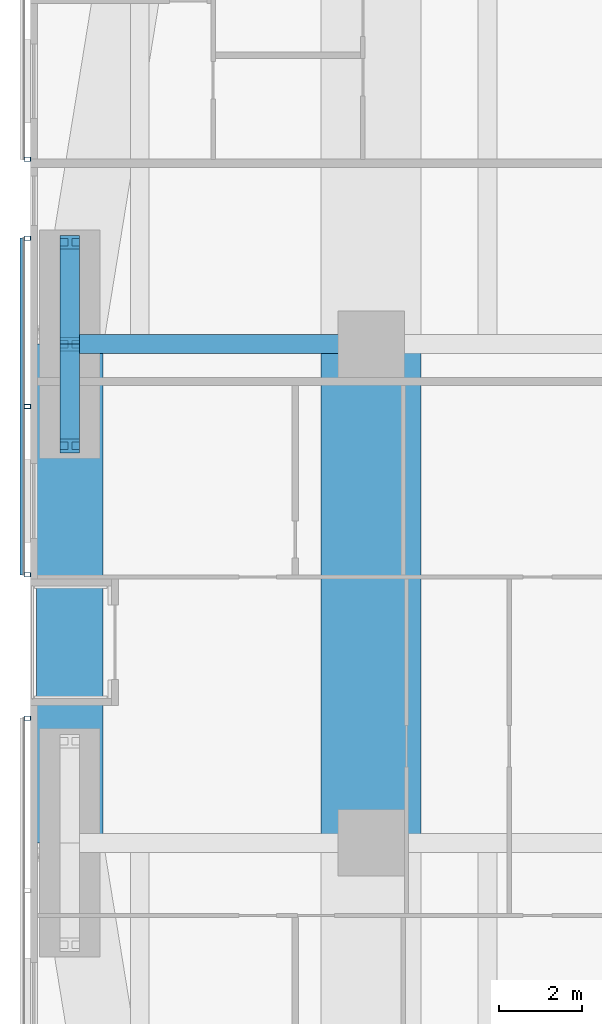
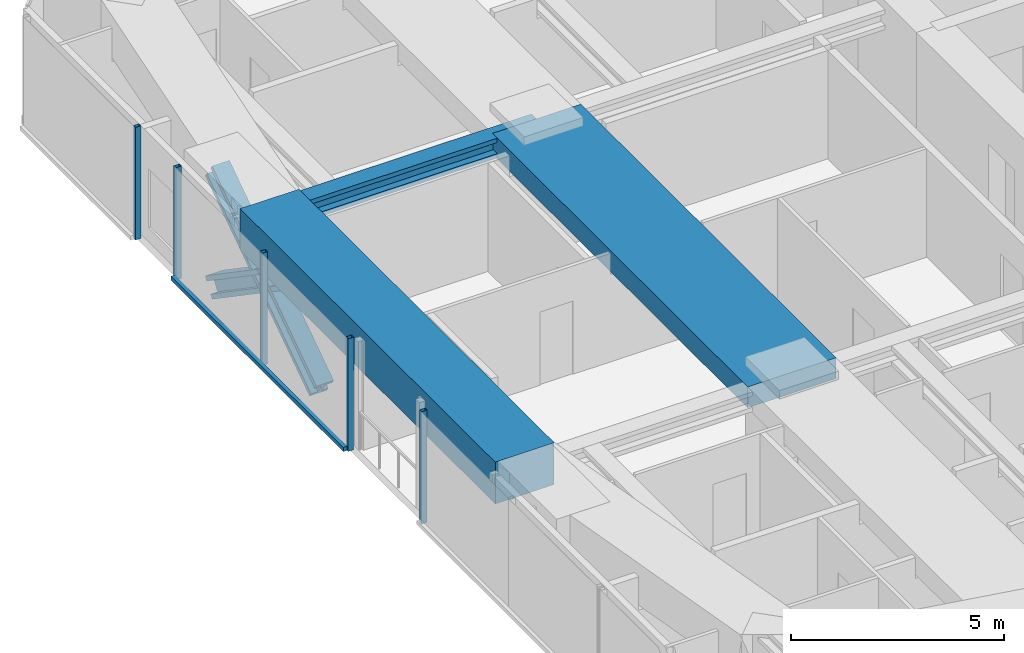
# One storey, part 7 of 24: 10 members, 3 beams, 3 elements without a shape of their own.
"""IFC4 building model written with IfcOpenShell, lengths in metres."""

from ifc_helpers import new_model, si_unit, direction, frame, origin, origin_2d, place, context, subcontext, project, spatial, rectangle, hollow_rectangle, i_section, extrude, material, material_profile, profile_set, type_object, element, aggregate, save


model = new_model("IFC4")

# Units and contexts
model_context = context("Model", 3, precision=1e-05, world=origin(), true_north=direction((0.0, 1.0)))
body_context = subcontext(model_context, "Body", "Model", "MODEL_VIEW")
ifc_project = project(units=[si_unit("LENGTHUNIT", "METRE"), si_unit("AREAUNIT", "SQUARE_METRE"), si_unit("VOLUMEUNIT", "CUBIC_METRE"), si_unit("PLANEANGLEUNIT", "RADIAN"), si_unit("MASSUNIT", "GRAM", prefix="KILO")], contexts=[model_context])

# Site, building, storey
site_placement = place(None, origin())
site = spatial("IfcSite", under=ifc_project, at=site_placement, CompositionType="ELEMENT")
building_placement = place(site_placement, origin())
building = spatial("IfcBuilding", under=site, at=building_placement, Name="Jalousie Tower", CompositionType="ELEMENT")
storey_placement = place(building_placement, frame((0.0, 0.0, 61.199951171875)))
storey = spatial("IfcBuildingStorey", under=building, at=storey_placement, Name="L16", CompositionType="ELEMENT", Elevation=61.199951171875)

# Beam
ifc_material_1 = material(Name="Steel ASTM A992 Grade 50", Category="steel")
ifc_material_profile_1 = material_profile(ifc_material_1, i_section(OverallWidth=0.45458984375, OverallDepth=0.569091796875, WebThickness=0.077880859375, FlangeThickness=0.124755859375, at=origin_2d()), Name="W14X730")
ifc_profile_set_1 = profile_set([ifc_material_profile_1], Name="Steel ASTM A992 Grade 50")
beam_type_1 = type_object("IfcBeamType", Name="LEAN COLLECTOR W14X730", PredefinedType="BEAM", material=ifc_profile_set_1)
beam_1_placement = place(storey_placement, frame((2.949951171875, 25.0, 2.825439453125), z_axis=(1.0, 0.0, 0.0), x_axis=(0.0, 1.0, 0.0)))
element("IfcBeam", 1, at=beam_1_placement, inside=storey, type_object=beam_type_1, Name="Lean collector under L17", PredefinedType="BEAM", context=body_context, shape_type="SweptSolid", body=[
    extrude(i_section(OverallWidth=0.45458984375, OverallDepth=0.569091796875, WebThickness=0.077880859375, FlangeThickness=0.124755859375, at=origin_2d()), origin(), (0.0, 0.0, 1.0), 7.25),
])

# Members
ifc_material_2 = material(Name="Steel ASTM A992 Grade 50", Category="steel")
ifc_material_profile_2 = material_profile(ifc_material_2, i_section(OverallWidth=0.472412109375, OverallDepth=0.5791015625, WebThickness=0.094970703125, FlangeThickness=0.1298828125, at=origin_2d()), Name="W14X808")
ifc_profile_set_2 = profile_set([ifc_material_profile_2], Name="Steel ASTM A992 Grade 50")
member_type_1 = type_object("IfcMemberType", Name="PERIMETER BRACE W14X808", PredefinedType="BRACE", material=ifc_profile_set_2)
for number, where, z_axis, x_axis, name in (
    (2, (2.949951171875, 22.550048828125, -0.599853515625), (0.0, 0.825539243753, 0.564344714713), (-1.0, 0.0, 0.0), "Perimeter brace 13 L16 part 1"),
    (3, (2.949951171875, 25.0, 1.074951171875), (0.0, 0.825500916831, 0.564400776321), (-1.0, 0.0, 0.0), "Perimeter brace 13 L16 part 2"),
    (4, (2.949951171875, 27.449951171875, -0.599853515625), (0.0, -0.825539243753, 0.564344714713), (1.0, 0.0, 0.0), "Perimeter brace 13 L16 part 3"),
    (5, (2.949951171875, 25.0, 1.074951171875), (0.0, -0.825500916831, 0.564400776321), (1.0, 0.0, 0.0), "Perimeter brace 13 L16 part 4"),
):
    element("IfcMember", number, at=place(storey_placement, frame(where, z_axis=z_axis, x_axis=x_axis)), inside=storey, type_object=member_type_1, Name=name, PredefinedType="BRACE", context=body_context, shape_type="SweptSolid", body=[
        extrude(i_section(OverallWidth=0.472412109375, OverallDepth=0.5791015625, WebThickness=0.094970703125, FlangeThickness=0.1298828125, at=origin_2d()), origin(), (0.0, 0.0, 1.0), 2.9677734375),
    ])

# Beams
ifc_material_3 = material(Name="Concrete f'c 40 MPa", Category="concrete")
ifc_material_profile_3 = material_profile(ifc_material_3, rectangle(XDim=1.60009765625, YDim=1.199951171875, at=origin_2d()), Name="RC 1600x1200")
ifc_profile_set_3 = profile_set([ifc_material_profile_3], Name="Concrete f'c 40 MPa")
beam_type_2 = type_object("IfcBeamType", Name="RC BEAM 1600x1200", PredefinedType="BEAM", material=ifc_profile_set_3)
beam_2_placement = place(storey_placement, frame((2.949951171875, 25.0, 2.75), z_axis=(0.0, -1.0, 0.0), x_axis=(1.0, 0.0, 0.0)))
element("IfcBeam", 6, at=beam_2_placement, inside=storey, type_object=beam_type_2, Name="Edge band beam 13-14 under L17", PredefinedType="BEAM", context=body_context, shape_type="SweptSolid", body=[
    extrude(rectangle(XDim=1.60009765625, YDim=1.199951171875, at=origin_2d()), origin(), (0.0, 0.0, 1.0), 12.0),
])
ifc_material_4 = material(Name="Concrete f'c 40 MPa", Category="concrete")
ifc_material_profile_4 = material_profile(ifc_material_4, rectangle(XDim=2.39990234375, YDim=0.60009765625, at=origin_2d()), Name="RC 2400x600")
ifc_profile_set_4 = profile_set([ifc_material_profile_4], Name="Concrete f'c 40 MPa")
beam_type_3 = type_object("IfcBeamType", Name="RC BEAM 2400x600", PredefinedType="BEAM", material=ifc_profile_set_4)
beam_3_placement = place(storey_placement, frame((10.199951171875, 13.0, 2.81005859375), z_axis=(0.0, 1.0, 0.0), x_axis=(-1.0, 0.0, 0.0)))
element("IfcBeam", 7, at=beam_3_placement, inside=storey, type_object=beam_type_3, Name="Floor band beam under L17", PredefinedType="BEAM", context=body_context, shape_type="SweptSolid", body=[
    extrude(rectangle(XDim=2.39990234375, YDim=0.60009765625, at=origin_2d()), origin(), (0.0, 0.0, 1.0), 12.0),
])

# Curtain wall, member
ifc_material_5 = material(Name="Perforated aluminium sheet", Category="aluminium")
curtain_wall_type = type_object("IfcCurtainWallType", Name="SOLAR SCREEN SS-1", PredefinedType="USERDEFINED", material=ifc_material_5)
curtain_wall_1_placement = place(storey_placement, origin())
curtain_wall_1 = element("IfcCurtainWall", 8, at=curtain_wall_1_placement, inside=storey, type_object=curtain_wall_type, Name="Solar screen L16", ObjectType="SOLAR SCREEN SS-1", PredefinedType="USERDEFINED")
ifc_material_6 = material(Name="Steel ASTM A500 Grade C", Category="steel")
ifc_material_profile_5 = material_profile(ifc_material_6, hollow_rectangle(XDim=0.1015625, YDim=0.15234375, WallThickness=0.00634765625, at=origin_2d()), Name="HSS6X4X1/4")
ifc_profile_set_5 = profile_set([ifc_material_profile_5], Name="Steel ASTM A500 Grade C")
member_type_2 = type_object("IfcMemberType", Name="SOLAR SCREEN SS-1 MULLION", PredefinedType="MULLION", material=ifc_profile_set_5)
member_1_placement = place(storey_placement, frame((1.9287109375, 29.449951171875, -0.119873046875), z_axis=(0.0, 0.0, 1.0), x_axis=(0.0, -1.0, 0.0)))
member_1 = element("IfcMember", 9, at=member_1_placement, type_object=member_type_2, Name="SS1 post 2", PredefinedType="MULLION", context=body_context, shape_type="SweptSolid", body=[
    extrude(hollow_rectangle(XDim=0.1015625, YDim=0.15234375, WallThickness=0.00634765625, at=origin_2d()), origin(), (0.0, 0.0, 1.0), 3.22998046875),
])
aggregate(curtain_wall_1, [member_1])

# Curtain wall, members
curtain_wall_2_placement = place(storey_placement, origin())
curtain_wall_2 = element("IfcCurtainWall", 10, at=curtain_wall_2_placement, inside=storey, type_object=curtain_wall_type, Name="Solar screen L16", ObjectType="SOLAR SCREEN SS-1", PredefinedType="USERDEFINED")
member_2_placement = place(storey_placement, frame((1.9287109375, 27.550048828125, -0.119873046875), z_axis=(0.0, 0.0, 1.0), x_axis=(0.0, -1.0, 0.0)))
member_2 = element("IfcMember", 11, at=member_2_placement, type_object=member_type_2, Name="SS1 post 1", PredefinedType="MULLION", context=body_context, shape_type="SweptSolid", body=[
    extrude(hollow_rectangle(XDim=0.1015625, YDim=0.15234375, WallThickness=0.00634765625, at=origin_2d()), origin(), (0.0, 0.0, 1.0), 3.22998046875),
])
member_3_placement = place(storey_placement, frame((1.9287109375, 23.5, -0.119873046875), z_axis=(0.0, 0.0, 1.0), x_axis=(0.0, -1.0, 0.0)))
member_3 = element("IfcMember", 12, at=member_3_placement, type_object=member_type_2, Name="SS1 post 2", PredefinedType="MULLION", context=body_context, shape_type="SweptSolid", body=[
    extrude(hollow_rectangle(XDim=0.1015625, YDim=0.15234375, WallThickness=0.00634765625, at=origin_2d()), origin(), (0.0, 0.0, 1.0), 3.22998046875),
])
member_4_placement = place(storey_placement, frame((1.9287109375, 19.449951171875, -0.119873046875), z_axis=(0.0, 0.0, 1.0), x_axis=(0.0, -1.0, 0.0)))
member_4 = element("IfcMember", 13, at=member_4_placement, type_object=member_type_2, Name="SS1 post 3", PredefinedType="MULLION", context=body_context, shape_type="SweptSolid", body=[
    extrude(hollow_rectangle(XDim=0.1015625, YDim=0.15234375, WallThickness=0.00634765625, at=origin_2d()), origin(), (0.0, 0.0, 1.0), 3.22998046875),
])

# Curtain wall, member
curtain_wall_3_placement = place(storey_placement, origin())
curtain_wall_3 = element("IfcCurtainWall", 14, at=curtain_wall_3_placement, inside=storey, type_object=curtain_wall_type, Name="Solar screen L16", ObjectType="SOLAR SCREEN SS-1", PredefinedType="USERDEFINED")
member_5_placement = place(storey_placement, frame((1.9287109375, 16.0, -0.119873046875), z_axis=(0.0, 0.0, 1.0), x_axis=(0.0, -1.0, 0.0)))
member_5 = element("IfcMember", 15, at=member_5_placement, type_object=member_type_2, Name="SS1 post 1", PredefinedType="MULLION", context=body_context, shape_type="SweptSolid", body=[
    extrude(hollow_rectangle(XDim=0.1015625, YDim=0.15234375, WallThickness=0.00634765625, at=origin_2d()), origin(), (0.0, 0.0, 1.0), 3.22998046875),
])
aggregate(curtain_wall_3, [member_5])

# Member
ifc_material_7 = material(Name="Extruded aluminium screen rail", Category="aluminium")
ifc_material_profile_6 = material_profile(ifc_material_7, rectangle(XDim=0.1015625, YDim=0.1201171875, at=origin_2d()), Name="RAIL 102x120")
ifc_profile_set_6 = profile_set([ifc_material_profile_6], Name="Extruded aluminium screen rail")
member_type_3 = type_object("IfcMemberType", Name="SOLAR SCREEN SS-1 TRANSOM", PredefinedType="USERDEFINED", material=ifc_profile_set_6)
member_6_placement = place(storey_placement, frame((1.8017578125, 27.550048828125, -0.06005859375), z_axis=(0.0, -1.0, 0.0), x_axis=(1.0, 0.0, 0.0)))
member_6 = element("IfcMember", 16, at=member_6_placement, type_object=member_type_3, Name="SS1 rail", ObjectType="TRANSOM", PredefinedType="USERDEFINED", context=body_context, shape_type="SweptSolid", body=[
    extrude(rectangle(XDim=0.1015625, YDim=0.1201171875, at=origin_2d()), origin(), (0.0, 0.0, 1.0), 8.10009765625),
])

aggregate(curtain_wall_2, [member_2, member_3, member_4, member_6])

save(model, "model.ifc")
